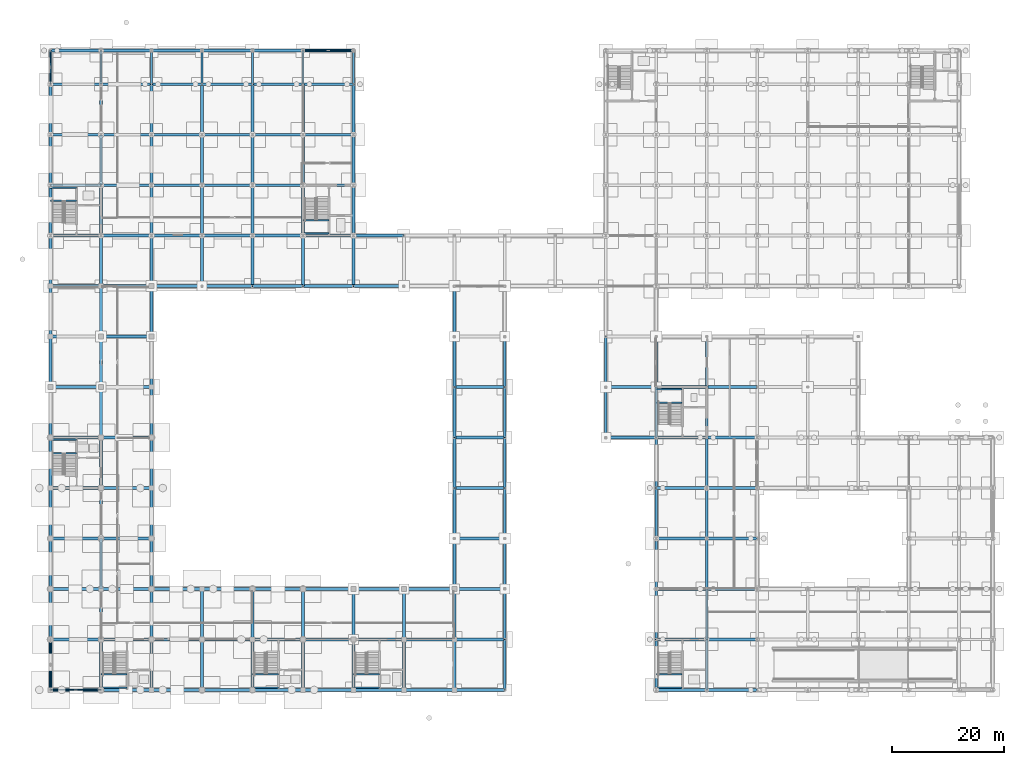
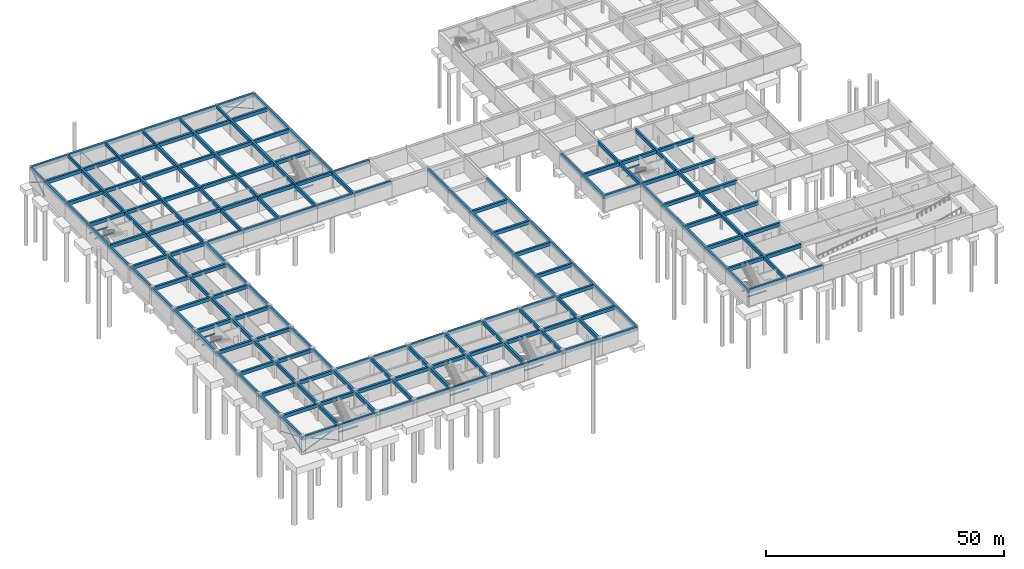
# One storey, part 20 of 41: 211 beams, 16 members.
"""IFC4 building model written with IfcOpenShell, lengths in metres."""

from ifc_helpers import new_model, si_unit, direction, frame, origin, origin_2d, place, context, subcontext, project, spatial, rectangle, hollow_rectangle, hollow_circle, i_section, extrude, material, material_profile, profile_set, type_object, element, save


model = new_model("IFC4")

# Units and contexts
model_context = context("Model", 3, precision=1e-05, world=origin(), true_north=direction((0.0, 1.0)))
body_context = subcontext(model_context, "Body", "Model", "MODEL_VIEW")
ifc_project = project(units=[si_unit("LENGTHUNIT", "METRE"), si_unit("AREAUNIT", "SQUARE_METRE"), si_unit("VOLUMEUNIT", "CUBIC_METRE"), si_unit("PLANEANGLEUNIT", "RADIAN"), si_unit("MASSUNIT", "GRAM", prefix="KILO")], contexts=[model_context])

# Site, building, storey
site_placement = place(None, origin())
site = spatial("IfcSite", under=ifc_project, at=site_placement, CompositionType="ELEMENT")
building_placement = place(site_placement, origin())
building = spatial("IfcBuilding", under=site, at=building_placement, Name="Palais des Congres Ocreval", CompositionType="ELEMENT")
storey_placement = place(building_placement, frame((0.0, 0.0, -8.9599609375)))
storey = spatial("IfcBuildingStorey", under=building, at=storey_placement, Name="B2", CompositionType="ELEMENT", Elevation=-8.9599609375)

# Beams
ifc_material_1 = material(Name="Concrete C35/45", Category="concrete")
ifc_material_profile_1 = material_profile(ifc_material_1, rectangle(XDim=0.39990234375, YDim=0.699951171875, at=origin_2d()), Name="RC 400x700")
ifc_profile_set_1 = profile_set([ifc_material_profile_1], Name="Concrete C35/45")
beam_type_1 = type_object("IfcBeamType", Name="Basement Beam RC 400x700 Concrete C35/45", PredefinedType="BEAM", material=ifc_profile_set_1)
for number, where, z_axis, x_axis, name in (
    (1, (0.0, 108.02001953125, 3.849853515625), (0.0, 1.0, 0.0), (-1.0, 0.0, 0.0), "Girder TG03 B2"),
    (2, (9.0, 108.02001953125, 3.849853515625), (0.0, 1.0, 0.0), (-1.0, 0.0, 0.0), "Girder TG03 B2"),
    (3, (18.0, 108.02001953125, 3.849853515625), (0.0, 1.0, 0.0), (-1.0, 0.0, 0.0), "Girder TG03 B2"),
    (4, (27.0, 108.02001953125, 3.849853515625), (0.0, 1.0, 0.0), (-1.0, 0.0, 0.0), "Girder TG03 B2"),
    (5, (36.0, 108.02001953125, 3.849853515625), (0.0, 1.0, 0.0), (-1.0, 0.0, 0.0), "Girder TG03 B2"),
    (6, (45.0, 108.02001953125, 3.849853515625), (0.0, 1.0, 0.0), (-1.0, 0.0, 0.0), "Girder TG03 B2"),
    (7, (54.0, 108.02001953125, 3.849853515625), (0.0, 1.0, 0.0), (-1.0, 0.0, 0.0), "Girder TG03 B2"),
):
    element("IfcBeam", number, at=place(storey_placement, frame(where, z_axis=z_axis, x_axis=x_axis)), inside=storey, type_object=beam_type_1, Name=name, PredefinedType="BEAM", context=body_context, shape_type="SweptSolid", body=[
        extrude(rectangle(XDim=0.39990234375, YDim=0.699951171875, at=origin_2d()), origin(), (0.0, 0.0, 1.0), 5.9599609375),
    ])
ifc_material_profile_2 = material_profile(ifc_material_1, rectangle(XDim=0.5, YDim=0.89990234375, at=origin_2d()), Name="RC 500x900")
ifc_profile_set_2 = profile_set([ifc_material_profile_2], Name="Concrete C35/45")
beam_type_2 = type_object("IfcBeamType", Name="Basement Girder RC 500x900 Concrete C35/45", PredefinedType="BEAM", material=ifc_profile_set_2)
for number, where, z_axis, x_axis, name in (
    (8, (0.02001953125, 0.0, 3.75), (1.0, 0.0, 0.0), (0.0, 1.0, 0.0), "Beam TG04 B2"),
    (9, (0.0, 0.02001953125, 3.75), (0.0, 1.0, 0.0), (-1.0, 0.0, 0.0), "Girder TG04 B2"),
    (10, (0.02001953125, 9.0, 3.75), (1.0, 0.0, 0.0), (0.0, 1.0, 0.0), "Beam TG04 B2"),
    (11, (0.0, 9.02001953125, 3.75), (0.0, 1.0, 0.0), (-1.0, 0.0, 0.0), "Girder TG04 B2"),
    (12, (0.02001953125, 18.0, 3.75), (1.0, 0.0, 0.0), (0.0, 1.0, 0.0), "Beam TG04 B2"),
    (13, (0.0, 18.02001953125, 3.75), (0.0, 1.0, 0.0), (-1.0, 0.0, 0.0), "Girder TG04 B2"),
    (14, (0.02001953125, 27.0, 3.75), (1.0, 0.0, 0.0), (0.0, 1.0, 0.0), "Beam TG04 B2"),
    (15, (0.0, 27.02001953125, 3.75), (0.0, 1.0, 0.0), (-1.0, 0.0, 0.0), "Girder TG04 B2"),
    (16, (0.02001953125, 36.0, 3.75), (1.0, 0.0, 0.0), (0.0, 1.0, 0.0), "Beam TG04 B2"),
    (17, (0.0, 36.02001953125, 3.75), (0.0, 1.0, 0.0), (-1.0, 0.0, 0.0), "Girder TG04 B2"),
    (18, (0.02001953125, 45.0, 3.75), (1.0, 0.0, 0.0), (0.0, 1.0, 0.0), "Beam TG04 B2"),
    (19, (0.0, 45.02001953125, 3.75), (0.0, 1.0, 0.0), (-1.0, 0.0, 0.0), "Girder TG04 B2"),
    (20, (0.02001953125, 54.0, 3.75), (1.0, 0.0, 0.0), (0.0, 1.0, 0.0), "Beam TG04 B2"),
    (21, (0.0, 54.02001953125, 3.75), (0.0, 1.0, 0.0), (-1.0, 0.0, 0.0), "Girder TG04 B2"),
    (22, (0.02001953125, 63.0, 3.75), (1.0, 0.0, 0.0), (0.0, 1.0, 0.0), "Beam TG04 B2"),
    (23, (0.0, 63.02001953125, 3.75), (0.0, 1.0, 0.0), (-1.0, 0.0, 0.0), "Girder TG04 B2"),
    (24, (0.02001953125, 72.0, 3.75), (1.0, 0.0, 0.0), (0.0, 1.0, 0.0), "Beam TG04 B2"),
    (25, (0.0, 72.02001953125, 3.580078125), (0.0, 1.0, 0.0), (-1.0, 0.0, 0.0), "Girder TG04 B2"),
    (26, (0.02001953125, 81.0, 3.75), (1.0, 0.0, 0.0), (0.0, 1.0, 0.0), "Beam TG04 B2"),
    (27, (0.0, 81.02001953125, 3.75), (0.0, 1.0, 0.0), (-1.0, 0.0, 0.0), "Girder TG04 B2"),
    (28, (0.02001953125, 90.0, 3.75), (1.0, 0.0, 0.0), (0.0, 1.0, 0.0), "Beam TG04 B2"),
    (29, (0.0, 90.02001953125, 3.75), (0.0, 1.0, 0.0), (-1.0, 0.0, 0.0), "Girder TG04 B2"),
    (30, (0.02001953125, 99.0, 3.75), (1.0, 0.0, 0.0), (0.0, 1.0, 0.0), "Beam TG04 B2"),
    (31, (0.0, 99.02001953125, 3.75), (0.0, 1.0, 0.0), (-1.0, 0.0, 0.0), "Girder TG04 B2"),
    (32, (0.02001953125, 108.0, 3.75), (1.0, 0.0, 0.0), (0.0, 1.0, 0.0), "Beam TG04 B2"),
    (33, (0.02001953125, 114.0, 3.75), (1.0, 0.0, 0.0), (0.0, 1.0, 0.0), "Beam TG04 B2"),
    (34, (9.02001953125, 0.0, 3.75), (1.0, 0.0, 0.0), (0.0, 1.0, 0.0), "Beam TG04 B2"),
    (35, (9.0, 0.02001953125, 3.75), (0.0, 1.0, 0.0), (-1.0, 0.0, 0.0), "Girder TG04 B2"),
    (36, (9.02001953125, 9.0, 3.75), (1.0, 0.0, 0.0), (0.0, 1.0, 0.0), "Beam TG04 B2"),
    (37, (9.0, 9.02001953125, 3.75), (0.0, 1.0, 0.0), (-1.0, 0.0, 0.0), "Girder TG04 B2"),
    (38, (9.02001953125, 18.0, 3.75), (1.0, 0.0, 0.0), (0.0, 1.0, 0.0), "Beam TG04 B2"),
    (39, (9.0, 18.02001953125, 3.75), (0.0, 1.0, 0.0), (-1.0, 0.0, 0.0), "Girder TG04 B2"),
    (40, (9.02001953125, 27.0, 3.75), (1.0, 0.0, 0.0), (0.0, 1.0, 0.0), "Beam TG04 B2"),
    (41, (9.0, 27.02001953125, 3.75), (0.0, 1.0, 0.0), (-1.0, 0.0, 0.0), "Girder TG04 B2"),
    (42, (9.02001953125, 36.0, 3.75), (1.0, 0.0, 0.0), (0.0, 1.0, 0.0), "Beam TG04 B2"),
    (43, (9.0, 36.02001953125, 3.75), (0.0, 1.0, 0.0), (-1.0, 0.0, 0.0), "Girder TG04 B2"),
    (44, (9.02001953125, 45.0, 3.75), (1.0, 0.0, 0.0), (0.0, 1.0, 0.0), "Beam TG04 B2"),
    (45, (9.0, 45.02001953125, 3.75), (0.0, 1.0, 0.0), (-1.0, 0.0, 0.0), "Girder TG04 B2"),
    (46, (9.02001953125, 54.0, 3.75), (1.0, 0.0, 0.0), (0.0, 1.0, 0.0), "Beam TG04 B2"),
    (47, (9.0, 54.02001953125, 3.75), (0.0, 1.0, 0.0), (-1.0, 0.0, 0.0), "Girder TG04 B2"),
    (48, (9.02001953125, 63.0, 3.75), (1.0, 0.0, 0.0), (0.0, 1.0, 0.0), "Beam TG04 B2"),
    (49, (9.0, 63.02001953125, 3.75), (0.0, 1.0, 0.0), (-1.0, 0.0, 0.0), "Girder TG04 B2"),
    (50, (9.02001953125, 72.0, 3.75), (1.0, 0.0, 0.0), (0.0, 1.0, 0.0), "Beam TG04 B2"),
    (51, (9.0, 72.02001953125, 3.580078125), (0.0, 1.0, 0.0), (-1.0, 0.0, 0.0), "Girder TG04 B2"),
    (52, (9.02001953125, 81.0, 3.75), (1.0, 0.0, 0.0), (0.0, 1.0, 0.0), "Beam TG04 B2"),
    (53, (9.0, 81.02001953125, 3.75), (0.0, 1.0, 0.0), (-1.0, 0.0, 0.0), "Girder TG04 B2"),
    (54, (9.02001953125, 90.0, 3.75), (1.0, 0.0, 0.0), (0.0, 1.0, 0.0), "Beam TG04 B2"),
    (55, (9.0, 90.02001953125, 3.75), (0.0, 1.0, 0.0), (-1.0, 0.0, 0.0), "Girder TG04 B2"),
    (56, (9.02001953125, 99.0, 3.75), (1.0, 0.0, 0.0), (0.0, 1.0, 0.0), "Beam TG04 B2"),
    (57, (9.0, 99.02001953125, 3.75), (0.0, 1.0, 0.0), (-1.0, 0.0, 0.0), "Girder TG04 B2"),
    (58, (9.02001953125, 108.0, 3.75), (1.0, 0.0, 0.0), (0.0, 1.0, 0.0), "Beam TG04 B2"),
    (59, (9.02001953125, 114.0, 3.75), (1.0, 0.0, 0.0), (0.0, 1.0, 0.0), "Beam TG04 B2"),
    (60, (18.02001953125, 0.0, 3.75), (1.0, 0.0, 0.0), (0.0, 1.0, 0.0), "Beam TG04 B2"),
    (61, (18.0, 0.02001953125, 3.75), (0.0, 1.0, 0.0), (-1.0, 0.0, 0.0), "Girder TG04 B2"),
    (62, (18.02001953125, 9.0, 3.75), (1.0, 0.0, 0.0), (0.0, 1.0, 0.0), "Beam TG04 B2"),
    (63, (18.0, 9.02001953125, 3.75), (0.0, 1.0, 0.0), (-1.0, 0.0, 0.0), "Girder TG04 B2"),
    (64, (18.02001953125, 18.0, 3.75), (1.0, 0.0, 0.0), (0.0, 1.0, 0.0), "Beam TG04 B2"),
    (65, (18.0, 18.02001953125, 3.75), (0.0, 1.0, 0.0), (-1.0, 0.0, 0.0), "Girder TG04 B2"),
    (66, (18.0, 27.02001953125, 3.75), (0.0, 1.0, 0.0), (-1.0, 0.0, 0.0), "Girder TG04 B2"),
    (67, (18.0, 36.02001953125, 3.75), (0.0, 1.0, 0.0), (-1.0, 0.0, 0.0), "Girder TG04 B2"),
    (68, (18.0, 45.02001953125, 3.75), (0.0, 1.0, 0.0), (-1.0, 0.0, 0.0), "Girder TG04 B2"),
    (69, (18.0, 54.02001953125, 3.75), (0.0, 1.0, 0.0), (-1.0, 0.0, 0.0), "Girder TG04 B2"),
    (70, (18.0, 63.02001953125, 3.75), (0.0, 1.0, 0.0), (-1.0, 0.0, 0.0), "Girder TG04 B2"),
    (71, (18.02001953125, 72.0, 3.580078125), (1.0, 0.0, 0.0), (0.0, 1.0, 0.0), "Beam TG04 B2"),
    (72, (18.0, 72.02001953125, 3.580078125), (0.0, 1.0, 0.0), (-1.0, 0.0, 0.0), "Girder TG04 B2"),
    (73, (18.02001953125, 81.0, 3.75), (1.0, 0.0, 0.0), (0.0, 1.0, 0.0), "Beam TG04 B2"),
    (74, (18.0, 81.02001953125, 3.75), (0.0, 1.0, 0.0), (-1.0, 0.0, 0.0), "Girder TG04 B2"),
    (75, (18.02001953125, 90.0, 3.75), (1.0, 0.0, 0.0), (0.0, 1.0, 0.0), "Beam TG04 B2"),
    (76, (18.0, 90.02001953125, 3.75), (0.0, 1.0, 0.0), (-1.0, 0.0, 0.0), "Girder TG04 B2"),
    (77, (18.02001953125, 99.0, 3.75), (1.0, 0.0, 0.0), (0.0, 1.0, 0.0), "Beam TG04 B2"),
    (78, (18.0, 99.02001953125, 3.75), (0.0, 1.0, 0.0), (-1.0, 0.0, 0.0), "Girder TG04 B2"),
    (79, (18.02001953125, 108.0, 3.75), (1.0, 0.0, 0.0), (0.0, 1.0, 0.0), "Beam TG04 B2"),
    (80, (18.02001953125, 114.0, 3.75), (1.0, 0.0, 0.0), (0.0, 1.0, 0.0), "Beam TG04 B2"),
    (81, (27.02001953125, 0.0, 3.75), (1.0, 0.0, 0.0), (0.0, 1.0, 0.0), "Beam TG04 B2"),
    (82, (27.0, 0.02001953125, 3.75), (0.0, 1.0, 0.0), (-1.0, 0.0, 0.0), "Girder TG04 B2"),
    (83, (27.02001953125, 9.0, 3.75), (1.0, 0.0, 0.0), (0.0, 1.0, 0.0), "Beam TG04 B2"),
    (84, (27.0, 9.02001953125, 3.75), (0.0, 1.0, 0.0), (-1.0, 0.0, 0.0), "Girder TG04 B2"),
    (85, (27.02001953125, 18.0, 3.75), (1.0, 0.0, 0.0), (0.0, 1.0, 0.0), "Beam TG04 B2"),
    (86, (27.02001953125, 72.0, 3.580078125), (1.0, 0.0, 0.0), (0.0, 1.0, 0.0), "Beam TG04 B2"),
    (87, (27.0, 72.02001953125, 3.580078125), (0.0, 1.0, 0.0), (-1.0, 0.0, 0.0), "Girder TG04 B2"),
    (88, (27.02001953125, 81.0, 3.75), (1.0, 0.0, 0.0), (0.0, 1.0, 0.0), "Beam TG04 B2"),
    (89, (27.0, 81.02001953125, 3.75), (0.0, 1.0, 0.0), (-1.0, 0.0, 0.0), "Girder TG04 B2"),
    (90, (27.02001953125, 90.0, 3.75), (1.0, 0.0, 0.0), (0.0, 1.0, 0.0), "Beam TG04 B2"),
    (91, (27.0, 90.02001953125, 3.75), (0.0, 1.0, 0.0), (-1.0, 0.0, 0.0), "Girder TG04 B2"),
    (92, (27.02001953125, 99.0, 3.75), (1.0, 0.0, 0.0), (0.0, 1.0, 0.0), "Beam TG04 B2"),
    (93, (27.0, 99.02001953125, 3.75), (0.0, 1.0, 0.0), (-1.0, 0.0, 0.0), "Girder TG04 B2"),
    (94, (27.02001953125, 108.0, 3.75), (1.0, 0.0, 0.0), (0.0, 1.0, 0.0), "Beam TG04 B2"),
    (95, (27.02001953125, 114.0, 3.75), (1.0, 0.0, 0.0), (0.0, 1.0, 0.0), "Beam TG04 B2"),
    (96, (36.02001953125, 0.0, 3.75), (1.0, 0.0, 0.0), (0.0, 1.0, 0.0), "Beam TG04 B2"),
    (97, (36.0, 0.02001953125, 3.75), (0.0, 1.0, 0.0), (-1.0, 0.0, 0.0), "Girder TG04 B2"),
    (98, (36.02001953125, 9.0, 3.75), (1.0, 0.0, 0.0), (0.0, 1.0, 0.0), "Beam TG04 B2"),
    (99, (36.0, 9.02001953125, 3.75), (0.0, 1.0, 0.0), (-1.0, 0.0, 0.0), "Girder TG04 B2"),
    (100, (36.02001953125, 18.0, 3.75), (1.0, 0.0, 0.0), (0.0, 1.0, 0.0), "Beam TG04 B2"),
    (101, (36.02001953125, 72.0, 3.580078125), (1.0, 0.0, 0.0), (0.0, 1.0, 0.0), "Beam TG04 B2"),
    (102, (36.0, 72.02001953125, 3.580078125), (0.0, 1.0, 0.0), (-1.0, 0.0, 0.0), "Girder TG04 B2"),
    (103, (36.02001953125, 81.0, 3.75), (1.0, 0.0, 0.0), (0.0, 1.0, 0.0), "Beam TG04 B2"),
    (104, (36.0, 81.02001953125, 3.75), (0.0, 1.0, 0.0), (-1.0, 0.0, 0.0), "Girder TG04 B2"),
    (105, (36.02001953125, 90.0, 3.75), (1.0, 0.0, 0.0), (0.0, 1.0, 0.0), "Beam TG04 B2"),
    (106, (36.0, 90.02001953125, 3.75), (0.0, 1.0, 0.0), (-1.0, 0.0, 0.0), "Girder TG04 B2"),
    (107, (36.02001953125, 99.0, 3.75), (1.0, 0.0, 0.0), (0.0, 1.0, 0.0), "Beam TG04 B2"),
    (108, (36.0, 99.02001953125, 3.75), (0.0, 1.0, 0.0), (-1.0, 0.0, 0.0), "Girder TG04 B2"),
    (109, (36.02001953125, 108.0, 3.75), (1.0, 0.0, 0.0), (0.0, 1.0, 0.0), "Beam TG04 B2"),
    (110, (36.02001953125, 114.0, 3.75), (1.0, 0.0, 0.0), (0.0, 1.0, 0.0), "Beam TG04 B2"),
    (111, (45.02001953125, 0.0, 3.75), (1.0, 0.0, 0.0), (0.0, 1.0, 0.0), "Beam TG04 B2"),
    (112, (45.0, 0.02001953125, 3.75), (0.0, 1.0, 0.0), (-1.0, 0.0, 0.0), "Girder TG04 B2"),
    (113, (45.02001953125, 9.0, 3.75), (1.0, 0.0, 0.0), (0.0, 1.0, 0.0), "Beam TG04 B2"),
    (114, (45.0, 9.02001953125, 3.75), (0.0, 1.0, 0.0), (-1.0, 0.0, 0.0), "Girder TG04 B2"),
    (115, (45.02001953125, 18.0, 3.75), (1.0, 0.0, 0.0), (0.0, 1.0, 0.0), "Beam TG04 B2"),
    (116, (45.02001953125, 72.0, 3.580078125), (1.0, 0.0, 0.0), (0.0, 1.0, 0.0), "Beam TG04 B2"),
    (117, (45.0, 72.02001953125, 3.580078125), (0.0, 1.0, 0.0), (-1.0, 0.0, 0.0), "Girder TG04 B2"),
    (118, (45.02001953125, 81.0, 3.75), (1.0, 0.0, 0.0), (0.0, 1.0, 0.0), "Beam TG04 B2"),
    (119, (45.0, 81.02001953125, 3.75), (0.0, 1.0, 0.0), (-1.0, 0.0, 0.0), "Girder TG04 B2"),
    (120, (45.02001953125, 90.0, 3.75), (1.0, 0.0, 0.0), (0.0, 1.0, 0.0), "Beam TG04 B2"),
    (121, (45.0, 90.02001953125, 3.75), (0.0, 1.0, 0.0), (-1.0, 0.0, 0.0), "Girder TG04 B2"),
    (122, (45.02001953125, 99.0, 3.75), (1.0, 0.0, 0.0), (0.0, 1.0, 0.0), "Beam TG04 B2"),
    (123, (45.0, 99.02001953125, 3.75), (0.0, 1.0, 0.0), (-1.0, 0.0, 0.0), "Girder TG04 B2"),
    (124, (45.02001953125, 108.0, 3.75), (1.0, 0.0, 0.0), (0.0, 1.0, 0.0), "Beam TG04 B2"),
    (125, (45.02001953125, 114.0, 3.75), (1.0, 0.0, 0.0), (0.0, 1.0, 0.0), "Beam TG04 B2"),
    (126, (54.02001953125, 0.0, 3.75), (1.0, 0.0, 0.0), (0.0, 1.0, 0.0), "Beam TG04 B2"),
    (127, (54.0, 0.02001953125, 3.75), (0.0, 1.0, 0.0), (-1.0, 0.0, 0.0), "Girder TG04 B2"),
    (128, (54.02001953125, 9.0, 3.75), (1.0, 0.0, 0.0), (0.0, 1.0, 0.0), "Beam TG04 B2"),
    (129, (54.0, 9.02001953125, 3.75), (0.0, 1.0, 0.0), (-1.0, 0.0, 0.0), "Girder TG04 B2"),
    (130, (54.02001953125, 18.0, 3.75), (1.0, 0.0, 0.0), (0.0, 1.0, 0.0), "Beam TG04 B2"),
    (131, (54.02001953125, 72.0, 3.580078125), (1.0, 0.0, 0.0), (0.0, 1.0, 0.0), "Beam TG04 B2"),
    (132, (54.0, 72.02001953125, 3.580078125), (0.0, 1.0, 0.0), (-1.0, 0.0, 0.0), "Girder TG04 B2"),
    (133, (54.02001953125, 81.0, 3.580078125), (1.0, 0.0, 0.0), (0.0, 1.0, 0.0), "Beam TG04 B2"),
    (134, (54.0, 81.02001953125, 3.75), (0.0, 1.0, 0.0), (-1.0, 0.0, 0.0), "Girder TG04 B2"),
    (135, (54.0, 90.02001953125, 3.75), (0.0, 1.0, 0.0), (-1.0, 0.0, 0.0), "Girder TG04 B2"),
    (136, (54.0, 99.02001953125, 3.75), (0.0, 1.0, 0.0), (-1.0, 0.0, 0.0), "Girder TG04 B2"),
    (137, (63.02001953125, 0.0, 3.75), (1.0, 0.0, 0.0), (0.0, 1.0, 0.0), "Beam TG04 B2"),
    (138, (63.0, 0.02001953125, 3.75), (0.0, 1.0, 0.0), (-1.0, 0.0, 0.0), "Girder TG04 B2"),
    (139, (63.02001953125, 9.0, 3.75), (1.0, 0.0, 0.0), (0.0, 1.0, 0.0), "Beam TG04 B2"),
    (140, (63.0, 9.02001953125, 3.75), (0.0, 1.0, 0.0), (-1.0, 0.0, 0.0), "Girder TG04 B2"),
    (141, (63.02001953125, 18.0, 3.75), (1.0, 0.0, 0.0), (0.0, 1.0, 0.0), "Beam TG04 B2"),
    (142, (72.02001953125, 0.0, 3.580078125), (1.0, 0.0, 0.0), (0.0, 1.0, 0.0), "Beam TG04 B2"),
    (143, (72.0, 0.02001953125, 3.75), (0.0, 1.0, 0.0), (-1.0, 0.0, 0.0), "Girder TG04 B2"),
    (144, (72.02001953125, 9.0, 3.580078125), (1.0, 0.0, 0.0), (0.0, 1.0, 0.0), "Beam TG04 B2"),
    (145, (72.0, 9.02001953125, 3.75), (0.0, 1.0, 0.0), (-1.0, 0.0, 0.0), "Girder TG04 B2"),
    (146, (72.02001953125, 18.0, 3.580078125), (1.0, 0.0, 0.0), (0.0, 1.0, 0.0), "Beam TG04 B2"),
    (147, (72.0, 18.02001953125, 3.580078125), (0.0, 1.0, 0.0), (-1.0, 0.0, 0.0), "Girder TG04 B2"),
    (148, (72.02001953125, 27.0, 3.580078125), (1.0, 0.0, 0.0), (0.0, 1.0, 0.0), "Beam TG04 B2"),
    (149, (72.0, 27.02001953125, 3.580078125), (0.0, 1.0, 0.0), (-1.0, 0.0, 0.0), "Girder TG04 B2"),
    (150, (72.02001953125, 36.0, 3.580078125), (1.0, 0.0, 0.0), (0.0, 1.0, 0.0), "Beam TG04 B2"),
    (151, (72.0, 36.02001953125, 3.580078125), (0.0, 1.0, 0.0), (-1.0, 0.0, 0.0), "Girder TG04 B2"),
    (152, (72.02001953125, 45.0, 3.580078125), (1.0, 0.0, 0.0), (0.0, 1.0, 0.0), "Beam TG04 B2"),
    (153, (72.0, 45.02001953125, 3.580078125), (0.0, 1.0, 0.0), (-1.0, 0.0, 0.0), "Girder TG04 B2"),
    (154, (72.02001953125, 54.0, 3.580078125), (1.0, 0.0, 0.0), (0.0, 1.0, 0.0), "Beam TG04 B2"),
    (155, (72.0, 54.02001953125, 3.580078125), (0.0, 1.0, 0.0), (-1.0, 0.0, 0.0), "Girder TG04 B2"),
    (156, (72.0, 63.02001953125, 3.580078125), (0.0, 1.0, 0.0), (-1.0, 0.0, 0.0), "Girder TG04 B2"),
    (157, (81.0, 0.02001953125, 3.580078125), (0.0, 1.0, 0.0), (-1.0, 0.0, 0.0), "Girder TG04 B2"),
    (158, (81.0, 9.02001953125, 3.580078125), (0.0, 1.0, 0.0), (-1.0, 0.0, 0.0), "Girder TG04 B2"),
    (159, (81.0, 18.02001953125, 3.580078125), (0.0, 1.0, 0.0), (-1.0, 0.0, 0.0), "Girder TG04 B2"),
    (160, (81.0, 27.02001953125, 3.580078125), (0.0, 1.0, 0.0), (-1.0, 0.0, 0.0), "Girder TG04 B2"),
    (161, (81.0, 36.02001953125, 3.580078125), (0.0, 1.0, 0.0), (-1.0, 0.0, 0.0), "Girder TG04 B2"),
    (162, (81.0, 45.02001953125, 3.580078125), (0.0, 1.0, 0.0), (-1.0, 0.0, 0.0), "Girder TG04 B2"),
    (163, (81.0, 54.02001953125, 3.580078125), (0.0, 1.0, 0.0), (-1.0, 0.0, 0.0), "Girder TG04 B2"),
    (164, (99.02001953125, 45.0, 3.580078125), (1.0, 0.0, 0.0), (0.0, 1.0, 0.0), "Beam TG04 B2"),
    (165, (99.0, 45.02001953125, 3.580078125), (0.0, 1.0, 0.0), (-1.0, 0.0, 0.0), "Girder TG04 B2"),
    (166, (99.02001953125, 54.0, 3.580078125), (1.0, 0.0, 0.0), (0.0, 1.0, 0.0), "Beam TG04 B2"),
    (167, (99.0, 54.02001953125, 3.580078125), (0.0, 1.0, 0.0), (-1.0, 0.0, 0.0), "Girder TG04 B2"),
    (168, (108.02001953125, 0.0, 3.6298828125), (1.0, 0.0, 0.0), (0.0, 1.0, 0.0), "Beam TG04 B2"),
    (169, (108.0, 0.02001953125, 3.6298828125), (0.0, 1.0, 0.0), (-1.0, 0.0, 0.0), "Girder TG04 B2"),
    (170, (108.02001953125, 9.0, 3.6298828125), (1.0, 0.0, 0.0), (0.0, 1.0, 0.0), "Beam TG04 B2"),
    (171, (108.0, 9.02001953125, 3.6298828125), (0.0, 1.0, 0.0), (-1.0, 0.0, 0.0), "Girder TG04 B2"),
    (172, (108.02001953125, 18.0, 3.6298828125), (1.0, 0.0, 0.0), (0.0, 1.0, 0.0), "Beam TG04 B2"),
    (173, (108.0, 18.02001953125, 3.6298828125), (0.0, 1.0, 0.0), (-1.0, 0.0, 0.0), "Girder TG04 B2"),
    (174, (108.02001953125, 27.0, 3.6298828125), (1.0, 0.0, 0.0), (0.0, 1.0, 0.0), "Beam TG04 B2"),
    (175, (108.0, 27.02001953125, 3.6298828125), (0.0, 1.0, 0.0), (-1.0, 0.0, 0.0), "Girder TG04 B2"),
    (176, (108.02001953125, 36.0, 3.6298828125), (1.0, 0.0, 0.0), (0.0, 1.0, 0.0), "Beam TG04 B2"),
    (177, (108.0, 36.02001953125, 3.6298828125), (0.0, 1.0, 0.0), (-1.0, 0.0, 0.0), "Girder TG04 B2"),
    (178, (108.02001953125, 45.0, 3.6298828125), (1.0, 0.0, 0.0), (0.0, 1.0, 0.0), "Beam TG04 B2"),
    (179, (108.0, 45.02001953125, 3.580078125), (0.0, 1.0, 0.0), (-1.0, 0.0, 0.0), "Girder TG04 B2"),
    (180, (108.02001953125, 54.0, 3.580078125), (1.0, 0.0, 0.0), (0.0, 1.0, 0.0), "Beam TG04 B2"),
    (181, (108.0, 54.02001953125, 3.580078125), (0.0, 1.0, 0.0), (-1.0, 0.0, 0.0), "Girder TG04 B2"),
    (182, (117.02001953125, 0.0, 3.6298828125), (1.0, 0.0, 0.0), (0.0, 1.0, 0.0), "Beam TG04 B2"),
    (183, (117.0, 0.02001953125, 3.6298828125), (0.0, 1.0, 0.0), (-1.0, 0.0, 0.0), "Girder TG04 B2"),
    (184, (117.02001953125, 9.0, 3.6298828125), (1.0, 0.0, 0.0), (0.0, 1.0, 0.0), "Beam TG04 B2"),
    (185, (117.0, 9.02001953125, 3.6298828125), (0.0, 1.0, 0.0), (-1.0, 0.0, 0.0), "Girder TG04 B2"),
    (186, (117.02001953125, 18.0, 3.6298828125), (1.0, 0.0, 0.0), (0.0, 1.0, 0.0), "Beam TG04 B2"),
    (187, (117.0, 18.02001953125, 3.6298828125), (0.0, 1.0, 0.0), (-1.0, 0.0, 0.0), "Girder TG04 B2"),
    (188, (117.02001953125, 27.0, 3.6298828125), (1.0, 0.0, 0.0), (0.0, 1.0, 0.0), "Beam TG04 B2"),
    (189, (117.0, 27.02001953125, 3.6298828125), (0.0, 1.0, 0.0), (-1.0, 0.0, 0.0), "Girder TG04 B2"),
    (190, (117.02001953125, 36.0, 3.6298828125), (1.0, 0.0, 0.0), (0.0, 1.0, 0.0), "Beam TG04 B2"),
    (191, (117.0, 36.02001953125, 3.6298828125), (0.0, 1.0, 0.0), (-1.0, 0.0, 0.0), "Girder TG04 B2"),
    (192, (117.02001953125, 45.0, 3.6298828125), (1.0, 0.0, 0.0), (0.0, 1.0, 0.0), "Beam TG04 B2"),
    (193, (117.0, 45.02001953125, 3.580078125), (0.0, 1.0, 0.0), (-1.0, 0.0, 0.0), "Girder TG04 B2"),
    (194, (117.02001953125, 54.0, 3.580078125), (1.0, 0.0, 0.0), (0.0, 1.0, 0.0), "Beam TG04 B2"),
    (195, (117.0, 54.02001953125, 3.580078125), (0.0, 1.0, 0.0), (-1.0, 0.0, 0.0), "Girder TG04 B2"),
):
    element("IfcBeam", number, at=place(storey_placement, frame(where, z_axis=z_axis, x_axis=x_axis)), inside=storey, type_object=beam_type_2, Name=name, PredefinedType="BEAM", context=body_context, shape_type="SweptSolid", body=[
        extrude(rectangle(XDim=0.5, YDim=0.89990234375, at=origin_2d()), origin(), (0.0, 0.0, 1.0), 8.9599609375),
    ])

# Members
ifc_material_2 = material(Name="Steel S355", Category="steel")
ifc_material_profile_3 = material_profile(ifc_material_2, hollow_circle(Radius=0.06982421875, WallThickness=0.008056640625, at=origin_2d()), Name="CHS 139.7x8")
ifc_profile_set_3 = profile_set([ifc_material_profile_3], Name="Steel S355")
member_type_1 = type_object("IfcMemberType", Name="Diagonal Brace CHS 139.7x8 Steel S355", PredefinedType="BRACE", material=ifc_profile_set_3)
member_1_placement = place(storey_placement, frame((45.0400390625, 114.0, 3.929931640625), z_axis=(0.920745889835, 0.0, -0.39016279468), x_axis=(0.0, 1.0, 0.0)))
element("IfcMember", 196, at=member_1_placement, inside=storey, type_object=member_type_1, Name="Lateral Brace BR06 B2", PredefinedType="BRACE", context=body_context, shape_type="SweptSolid", body=[
    extrude(hollow_circle(Radius=0.06982421875, WallThickness=0.008056640625, at=origin_2d()), origin(), (0.0, 0.0, 1.0), 4.84375),
])
member_2_placement = place(storey_placement, frame((49.5, 114.0, 2.0400390625), z_axis=(0.920727782703, 0.0, -0.390205522974), x_axis=(0.0, 1.0, 0.0)))
element("IfcMember", 197, at=member_2_placement, inside=storey, type_object=member_type_1, Name="Lateral Brace BR06 B2", PredefinedType="BRACE", context=body_context, shape_type="SweptSolid", body=[
    extrude(hollow_circle(Radius=0.06982421875, WallThickness=0.008056640625, at=origin_2d()), origin(), (0.0, 0.0, 1.0), 4.843994140625),
])
ifc_material_profile_4 = material_profile(ifc_material_2, hollow_circle(Radius=0.084228515625, WallThickness=0.010009765625, at=origin_2d()), Name="CHS 168.3x10")
ifc_profile_set_4 = profile_set([ifc_material_profile_4], Name="Steel S355")
member_type_2 = type_object("IfcMemberType", Name="Diagonal Brace CHS 168.3x10 Steel S355", PredefinedType="BRACE", material=ifc_profile_set_4)
member_3_placement = place(storey_placement, frame((45.0400390625, 114.0, 0.14990234375), z_axis=(0.920727782703, 0.0, 0.390205522974), x_axis=(0.0, 1.0, 0.0)))
element("IfcMember", 198, at=member_3_placement, inside=storey, type_object=member_type_2, Name="Lateral Brace BR05 B2", PredefinedType="BRACE", context=body_context, shape_type="SweptSolid", body=[
    extrude(hollow_circle(Radius=0.084228515625, WallThickness=0.010009765625, at=origin_2d()), origin(), (0.0, 0.0, 1.0), 4.843994140625),
])
member_4_placement = place(storey_placement, frame((49.5, 114.0, 2.0400390625), z_axis=(0.920745889835, 0.0, 0.39016279468), x_axis=(0.0, 1.0, 0.0)))
element("IfcMember", 199, at=member_4_placement, inside=storey, type_object=member_type_2, Name="Lateral Brace BR05 B2", PredefinedType="BRACE", context=body_context, shape_type="SweptSolid", body=[
    extrude(hollow_circle(Radius=0.084228515625, WallThickness=0.010009765625, at=origin_2d()), origin(), (0.0, 0.0, 1.0), 4.84375),
])
ifc_material_profile_5 = material_profile(ifc_material_2, hollow_circle(Radius=0.122314453125, WallThickness=0.012451171875, at=origin_2d()), Name="CHS 244.5x12.5")
ifc_profile_set_5 = profile_set([ifc_material_profile_5], Name="Steel S355")
member_type_3 = type_object("IfcMemberType", Name="Diagonal Brace CHS 244.5x12.5 Steel S355", PredefinedType="BRACE", material=ifc_profile_set_5)
member_5_placement = place(storey_placement, frame((0.0400390625, 0.0, 3.929931640625), z_axis=(0.920745889835, 0.0, -0.39016279468), x_axis=(0.0, 1.0, 0.0)))
element("IfcMember", 200, at=member_5_placement, inside=storey, type_object=member_type_3, Name="Lateral Brace BR02 B2", PredefinedType="BRACE", context=body_context, shape_type="SweptSolid", body=[
    extrude(hollow_circle(Radius=0.122314453125, WallThickness=0.012451171875, at=origin_2d()), origin(), (0.0, 0.0, 1.0), 4.84375),
])
member_6_placement = place(storey_placement, frame((4.5, 0.0, 2.0400390625), z_axis=(0.920727782703, 0.0, -0.390205522974), x_axis=(0.0, 1.0, 0.0)))
element("IfcMember", 201, at=member_6_placement, inside=storey, type_object=member_type_3, Name="Lateral Brace BR02 B2", PredefinedType="BRACE", context=body_context, shape_type="SweptSolid", body=[
    extrude(hollow_circle(Radius=0.122314453125, WallThickness=0.012451171875, at=origin_2d()), origin(), (0.0, 0.0, 1.0), 4.843994140625),
])
member_7_placement = place(storey_placement, frame((0.0, 0.0400390625, 3.929931640625), z_axis=(0.0, 0.920745889835, -0.39016279468), x_axis=(-1.0, 0.0, 0.0)))
element("IfcMember", 202, at=member_7_placement, inside=storey, type_object=member_type_3, Name="Lateral Brace BR02 B2", PredefinedType="BRACE", context=body_context, shape_type="SweptSolid", body=[
    extrude(hollow_circle(Radius=0.122314453125, WallThickness=0.012451171875, at=origin_2d()), origin(), (0.0, 0.0, 1.0), 4.84375),
])
member_8_placement = place(storey_placement, frame((0.0, 4.5, 2.0400390625), z_axis=(0.0, 0.920727782703, -0.390205522974), x_axis=(-1.0, 0.0, 0.0)))
element("IfcMember", 203, at=member_8_placement, inside=storey, type_object=member_type_3, Name="Lateral Brace BR02 B2", PredefinedType="BRACE", context=body_context, shape_type="SweptSolid", body=[
    extrude(hollow_circle(Radius=0.122314453125, WallThickness=0.012451171875, at=origin_2d()), origin(), (0.0, 0.0, 1.0), 4.843994140625),
])
ifc_material_profile_6 = material_profile(ifc_material_2, hollow_circle(Radius=0.136474609375, WallThickness=0.01611328125, at=origin_2d()), Name="CHS 273x16")
ifc_profile_set_6 = profile_set([ifc_material_profile_6], Name="Steel S355")
member_type_4 = type_object("IfcMemberType", Name="Diagonal Brace CHS 273x16 Steel S355", PredefinedType="BRACE", material=ifc_profile_set_6)
member_9_placement = place(storey_placement, frame((0.0400390625, 0.0, 0.14990234375), z_axis=(0.920727782703, 0.0, 0.390205522974), x_axis=(0.0, 1.0, 0.0)))
element("IfcMember", 204, at=member_9_placement, inside=storey, type_object=member_type_4, Name="Lateral Brace BR01 B2", PredefinedType="BRACE", context=body_context, shape_type="SweptSolid", body=[
    extrude(hollow_circle(Radius=0.136474609375, WallThickness=0.01611328125, at=origin_2d()), origin(), (0.0, 0.0, 1.0), 4.843994140625),
])
member_10_placement = place(storey_placement, frame((4.5, 0.0, 2.0400390625), z_axis=(0.920745889835, 0.0, 0.39016279468), x_axis=(0.0, 1.0, 0.0)))
element("IfcMember", 205, at=member_10_placement, inside=storey, type_object=member_type_4, Name="Lateral Brace BR01 B2", PredefinedType="BRACE", context=body_context, shape_type="SweptSolid", body=[
    extrude(hollow_circle(Radius=0.136474609375, WallThickness=0.01611328125, at=origin_2d()), origin(), (0.0, 0.0, 1.0), 4.84375),
])
member_11_placement = place(storey_placement, frame((0.0, 0.0400390625, 0.14990234375), z_axis=(0.0, 0.920727782703, 0.390205522974), x_axis=(-1.0, 0.0, 0.0)))
element("IfcMember", 206, at=member_11_placement, inside=storey, type_object=member_type_4, Name="Lateral Brace BR01 B2", PredefinedType="BRACE", context=body_context, shape_type="SweptSolid", body=[
    extrude(hollow_circle(Radius=0.136474609375, WallThickness=0.01611328125, at=origin_2d()), origin(), (0.0, 0.0, 1.0), 4.843994140625),
])
member_12_placement = place(storey_placement, frame((0.0, 4.5, 2.0400390625), z_axis=(0.0, 0.920745889835, 0.39016279468), x_axis=(-1.0, 0.0, 0.0)))
element("IfcMember", 207, at=member_12_placement, inside=storey, type_object=member_type_4, Name="Lateral Brace BR01 B2", PredefinedType="BRACE", context=body_context, shape_type="SweptSolid", body=[
    extrude(hollow_circle(Radius=0.136474609375, WallThickness=0.01611328125, at=origin_2d()), origin(), (0.0, 0.0, 1.0), 4.84375),
])
ifc_material_profile_7 = material_profile(ifc_material_2, hollow_rectangle(XDim=0.159912109375, YDim=0.159912109375, WallThickness=0.010009765625, at=origin_2d()), Name="RHS 160x160x10")
ifc_profile_set_7 = profile_set([ifc_material_profile_7], Name="Steel S355")
member_type_5 = type_object("IfcMemberType", Name="Lateral Brace RHS 160x160x10 Steel S355", PredefinedType="BRACE", material=ifc_profile_set_7)
for number, where, z_axis, x_axis, name in (
    (208, (0.0, 108.0400390625, 3.929931640625), (0.0, 0.842850424483, -0.538147899697), (-1.0, 0.0, 0.0), "Lateral Brace BR08 B2"),
    (209, (0.0, 111.0, 2.0400390625), (0.0, 0.842818891837, -0.538197283125), (-1.0, 0.0, 0.0), "Lateral Brace BR08 B2"),
):
    element("IfcMember", number, at=place(storey_placement, frame(where, z_axis=z_axis, x_axis=x_axis)), inside=storey, type_object=member_type_5, Name=name, PredefinedType="BRACE", context=body_context, shape_type="SweptSolid", body=[
        extrude(hollow_rectangle(XDim=0.159912109375, YDim=0.159912109375, WallThickness=0.010009765625, at=origin_2d()), origin(), (0.0, 0.0, 1.0), 3.511962890625),
    ])
ifc_material_profile_8 = material_profile(ifc_material_2, hollow_rectangle(XDim=0.219970703125, YDim=0.219970703125, WallThickness=0.012451171875, at=origin_2d()), Name="RHS 220x220x12.5")
ifc_profile_set_8 = profile_set([ifc_material_profile_8], Name="Steel S355")
member_type_6 = type_object("IfcMemberType", Name="Lateral Brace RHS 220x220x12.5 Steel S355", PredefinedType="BRACE", material=ifc_profile_set_8)
for number, where, z_axis, x_axis, name in (
    (210, (0.0, 108.0400390625, 0.14990234375), (0.0, 0.842818891837, 0.538197283125), (-1.0, 0.0, 0.0), "Lateral Brace BR07 B2"),
    (211, (0.0, 111.0, 2.0400390625), (0.0, 0.842850424483, 0.538147899697), (-1.0, 0.0, 0.0), "Lateral Brace BR07 B2"),
):
    element("IfcMember", number, at=place(storey_placement, frame(where, z_axis=z_axis, x_axis=x_axis)), inside=storey, type_object=member_type_6, Name=name, PredefinedType="BRACE", context=body_context, shape_type="SweptSolid", body=[
        extrude(hollow_rectangle(XDim=0.219970703125, YDim=0.219970703125, WallThickness=0.012451171875, at=origin_2d()), origin(), (0.0, 0.0, 1.0), 3.511962890625),
    ])

# Beams
ifc_material_profile_9 = material_profile(ifc_material_2, i_section(OverallWidth=0.260009765625, OverallDepth=0.260009765625, WebThickness=0.010009765625, FlangeThickness=0.017578125, at=origin_2d()), Name="HEB 260")
ifc_profile_set_9 = profile_set([ifc_material_profile_9], Name="Steel S355")
beam_type_3 = type_object("IfcBeamType", Name="Opening Lintel HEB 260 Steel S355", PredefinedType="LINTEL", material=ifc_profile_set_9)
for number, where, z_axis, x_axis, name in (
    (212, (9.02001953125, 0.419921875, 1.909912109375), (1.0, 0.0, 0.0), (0.0, 1.0, 0.0), "Stair Landing Support Beam ST01 B2-1"),
    (213, (9.02001953125, 2.760009765625, 1.909912109375), (1.0, 0.0, 0.0), (0.0, 1.0, 0.0), "Stair Landing Support Beam ST01 B2-2"),
    (214, (36.02001953125, 0.419921875, 1.909912109375), (1.0, 0.0, 0.0), (0.0, 1.0, 0.0), "Stair Landing Support Beam ST02 B2-1"),
    (215, (36.02001953125, 2.760009765625, 1.909912109375), (1.0, 0.0, 0.0), (0.0, 1.0, 0.0), "Stair Landing Support Beam ST02 B2-2"),
    (216, (0.02001953125, 42.239990234375, 1.909912109375), (1.0, 0.0, 0.0), (0.0, 1.0, 0.0), "Stair Landing Support Beam ST03 B2-1"),
    (217, (0.02001953125, 44.580078125, 1.909912109375), (1.0, 0.0, 0.0), (0.0, 1.0, 0.0), "Stair Landing Support Beam ST03 B2-2"),
    (218, (54.02001953125, 0.419921875, 1.909912109375), (1.0, 0.0, 0.0), (0.0, 1.0, 0.0), "Stair Landing Support Beam ST04 B2-1"),
    (219, (54.02001953125, 2.760009765625, 1.909912109375), (1.0, 0.0, 0.0), (0.0, 1.0, 0.0), "Stair Landing Support Beam ST04 B2-2"),
    (220, (0.02001953125, 87.239990234375, 1.909912109375), (1.0, 0.0, 0.0), (0.0, 1.0, 0.0), "Stair Landing Support Beam ST05 B2-1"),
    (221, (0.02001953125, 89.580078125, 1.909912109375), (1.0, 0.0, 0.0), (0.0, 1.0, 0.0), "Stair Landing Support Beam ST05 B2-2"),
    (222, (45.02001953125, 81.419921875, 1.909912109375), (1.0, 0.0, 0.0), (0.0, 1.0, 0.0), "Stair Landing Support Beam ST06 B2-1"),
    (223, (45.02001953125, 83.760009765625, 1.909912109375), (1.0, 0.0, 0.0), (0.0, 1.0, 0.0), "Stair Landing Support Beam ST06 B2-2"),
    (224, (108.02001953125, 0.419921875, 1.909912109375), (1.0, 0.0, 0.0), (0.0, 1.0, 0.0), "Stair Landing Support Beam ST09 B2-1"),
    (225, (108.02001953125, 2.760009765625, 1.909912109375), (1.0, 0.0, 0.0), (0.0, 1.0, 0.0), "Stair Landing Support Beam ST09 B2-2"),
    (226, (108.02001953125, 51.239990234375, 1.909912109375), (1.0, 0.0, 0.0), (0.0, 1.0, 0.0), "Stair Landing Support Beam ST10 B2-1"),
    (227, (108.02001953125, 53.580078125, 1.909912109375), (1.0, 0.0, 0.0), (0.0, 1.0, 0.0), "Stair Landing Support Beam ST10 B2-2"),
):
    element("IfcBeam", number, at=place(storey_placement, frame(where, z_axis=z_axis, x_axis=x_axis)), inside=storey, type_object=beam_type_3, Name=name, PredefinedType="LINTEL", context=body_context, shape_type="SweptSolid", body=[
        extrude(i_section(OverallWidth=0.260009765625, OverallDepth=0.260009765625, WebThickness=0.010009765625, FlangeThickness=0.017578125, at=origin_2d()), origin(), (0.0, 0.0, 1.0), 4.60986328125),
    ])

save(model, "model.ifc")
